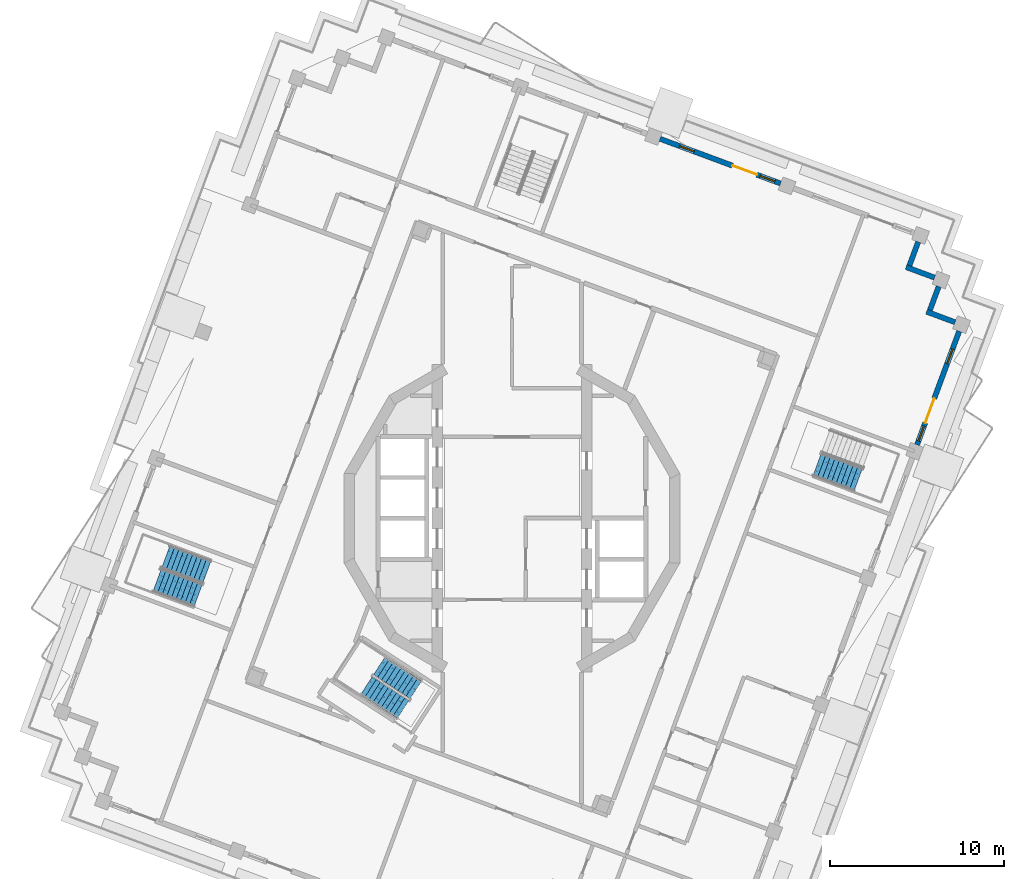
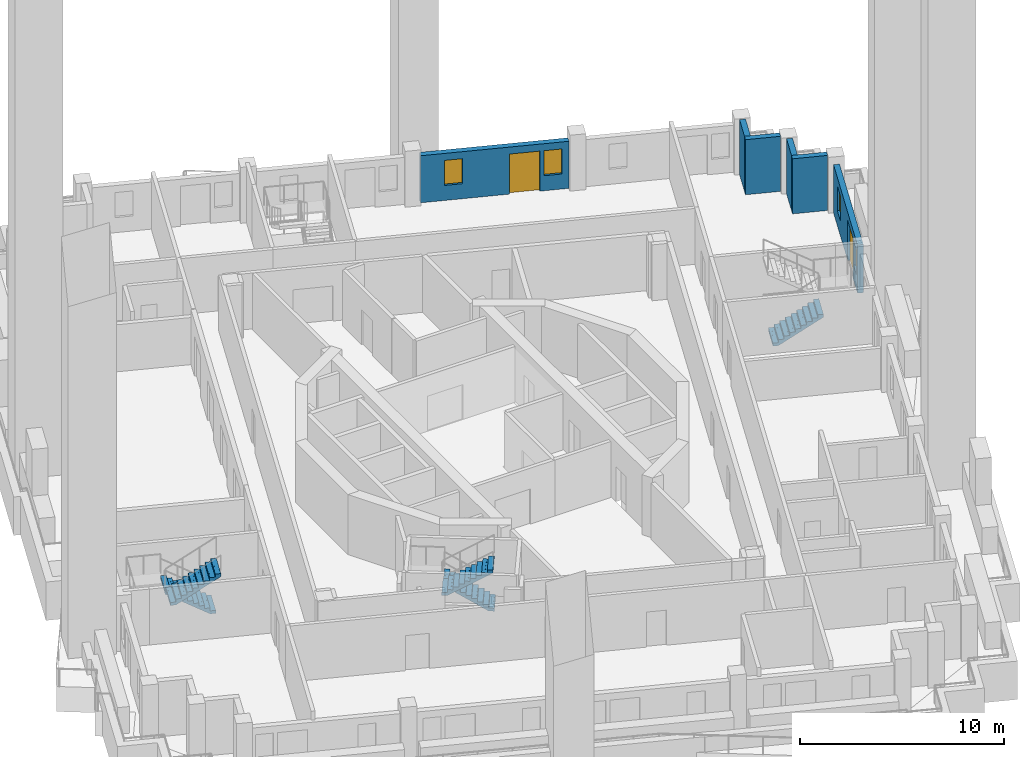
# One storey, part 8 of 20: 6 walls, 5 stair flights, 4 windows, 2 doors, 6 openings, 3 elements without a shape of their own.
"""IFC4 building model written with IfcOpenShell, lengths in metres."""

import ifcopenshell
import ifcopenshell.guid

model = None  # the IFC model being written
_history = None  # IfcOwnerHistory: only IFC2X3 demands one
_inside = {}  # id of a spatial element -> (the spatial element, [elements in it])
_under = {}  # id of a project, library or spatial element -> (it, [spatial elements below it])
_declared = {}  # id of a project -> (the project, [libraries it declares])
_typed = {}  # id of a type object -> (the type object, [elements of that type])
_made_of = {}  # id of a material, layer set ... -> (it, [elements and type objects made of it])


def new_model(schema):
    """Start an empty IFC model of exactly this schema.

    Asked for "IFC4X3", IfcOpenShell would pick the latest addendum, in which some entities
    have other attributes; the version numbers below select the first issue.
    IFC2X3 requires an IfcOwnerHistory on every rooted entity: one is made here for all.
    """
    global model, _history
    if schema == "IFC4X3":
        model = ifcopenshell.file(schema_version=(4, 3, 0, 0))
    else:
        model = ifcopenshell.file(schema=schema)
    _inside.clear()
    _under.clear()
    _declared.clear()
    _typed.clear()
    _made_of.clear()
    _history = None
    if model.schema == "IFC2X3":
        org = make("IfcOrganization", Name="unknown")
        user = make(
            "IfcPersonAndOrganization",
            ThePerson=make("IfcPerson", FamilyName="unknown"),
            TheOrganization=org,
        )
        app = make(
            "IfcApplication",
            ApplicationDeveloper=org,
            Version="unknown",
            ApplicationFullName="unknown",
            ApplicationIdentifier="unknown",
        )
        _history = make(
            "IfcOwnerHistory",
            OwningUser=user,
            OwningApplication=app,
            ChangeAction="ADDED",
            CreationDate=0,
        )
    return model


def make(cls, **values):
    """One entity of the class cls with the attributes given. An attribute that is None is left unset."""
    return model.create_entity(
        cls, **{name: value for name, value in values.items() if value is not None}
    )


def rooted(cls, **values):
    """An entity with a GlobalId (a new one), such as an element, a storey or a relation."""
    return make(cls, GlobalId=ifcopenshell.guid.new(), OwnerHistory=_history, **values)


def si_unit(unit_type, name, prefix=None):
    """IfcSIUnit, for example si_unit("LENGTHUNIT", "METRE", prefix="MILLI")."""
    return make("IfcSIUnit", UnitType=unit_type, Prefix=prefix, Name=name)


def assignment(units):
    """IfcUnitAssignment: the units of a project."""
    return None if units is None else make("IfcUnitAssignment", Units=units)


def point(xyz):
    """IfcCartesianPoint."""
    return None if xyz is None else make("IfcCartesianPoint", Coordinates=xyz)


def direction(xyz):
    """IfcDirection."""
    return None if xyz is None else make("IfcDirection", DirectionRatios=xyz)


def frame(location, z_axis=None, x_axis=None):
    """IfcAxis2Placement3D, a coordinate frame: its origin and axes. An axis left out is left unset."""
    return make(
        "IfcAxis2Placement3D",
        Location=point(location),
        Axis=direction(z_axis),
        RefDirection=direction(x_axis),
    )


def frame_2d(location, x_axis=None):
    """IfcAxis2Placement2D, a coordinate frame in the plane: its origin and x axis."""
    return make(
        "IfcAxis2Placement2D", Location=point(location), RefDirection=direction(x_axis)
    )


def origin():
    """The frame at (0, 0, 0) with its axes left unset."""
    return frame((0.0, 0.0, 0.0))


def place(relative_to, where):
    """IfcLocalPlacement: puts the frame where relative to a parent placement (None: the world)."""
    return make(
        "IfcLocalPlacement", PlacementRelTo=relative_to, RelativePlacement=where
    )


def context(
    kind, dimensions, precision=None, world=None, true_north=None, identifier=None
):
    """IfcGeometricRepresentationContext, for example the 3D "Model" context."""
    return make(
        "IfcGeometricRepresentationContext",
        ContextIdentifier=identifier,
        ContextType=kind,
        CoordinateSpaceDimension=dimensions,
        Precision=precision,
        WorldCoordinateSystem=world,
        TrueNorth=true_north,
    )


def subcontext(parent, identifier, kind, view, scale=None):
    """IfcGeometricRepresentationSubContext, for example "Body" below "Model"."""
    return make(
        "IfcGeometricRepresentationSubContext",
        ContextIdentifier=identifier,
        ContextType=kind,
        ParentContext=parent,
        TargetScale=scale,
        TargetView=view,
    )


def project(units=None, contexts=None):
    """IfcProject with its units and contexts."""
    return rooted(
        "IfcProject",
        Name="project",
        RepresentationContexts=contexts,
        UnitsInContext=assignment(units),
    )


def spatial(cls, under=None, at=None, **own):
    """A site, building, storey or space (cls), placed at a placement, below another one or the project."""
    s = rooted(cls, ObjectPlacement=at, **own)
    if under is not None:
        _under.setdefault(under.id(), (under, []))[1].append(s)
    return s


def polyline(points):
    """IfcPolyline through the points."""
    return make("IfcPolyline", Points=[point(p) for p in points])


def profile(cls, at=None, kind="AREA", **sizes):
    """A parametric profile (cls). Its sizes go by their IFC names, for example OverallWidth=200.0."""
    return make(cls, ProfileType=kind, Position=at, **sizes)


def rectangle(**sizes):
    """IfcRectangleProfileDef."""
    return profile("IfcRectangleProfileDef", **sizes)


def outline(outer, holes=None, kind="AREA"):
    """IfcArbitraryClosedProfileDef: a profile drawn as a closed curve; with holes, ...WithVoids."""
    if holes is None:
        return make("IfcArbitraryClosedProfileDef", ProfileType=kind, OuterCurve=outer)
    return make(
        "IfcArbitraryProfileDefWithVoids",
        ProfileType=kind,
        OuterCurve=outer,
        InnerCurves=holes,
    )


def extrude(swept, where, along, depth):
    """IfcExtrudedAreaSolid: the profile swept, set in the frame where, extruded along a direction by depth."""
    return make(
        "IfcExtrudedAreaSolid",
        SweptArea=swept,
        Position=where,
        ExtrudedDirection=direction(along),
        Depth=depth,
    )


def shape(context_of_items, identifier, shape_type, items):
    """IfcShapeRepresentation: the items that make up one representation, for example the "Body"."""
    return make(
        "IfcShapeRepresentation",
        ContextOfItems=context_of_items,
        RepresentationIdentifier=identifier,
        RepresentationType=shape_type,
        Items=items,
    )


def material(Name=None, Category=None):
    """IfcMaterial."""
    return make("IfcMaterial", Name=Name, Category=Category)


def layer(
    of_material, thickness, ventilated=None, Name=None, Category=None, Priority=None
):
    """IfcMaterialLayer: one layer of a wall or slab, of a material (None: an air gap)."""
    return make(
        "IfcMaterialLayer",
        Material=of_material,
        LayerThickness=thickness,
        IsVentilated=ventilated,
        Name=Name,
        Category=Category,
        Priority=Priority,
    )


def layer_set(layers, Name=None):
    """IfcMaterialLayerSet."""
    return make("IfcMaterialLayerSet", MaterialLayers=layers, LayerSetName=Name)


def made_of(thing, what):
    """Note that an element or type object is made of a material, layer set ...; save() writes the relation."""
    if what is not None:
        _made_of.setdefault(what.id(), (what, []))[1].append(thing)
    return thing


def type_object(cls, material=None, **own):
    """A type object (cls), such as IfcWallType, which elements share."""
    return made_of(rooted(cls, **own), material)


def element(
    cls,
    number,
    at=None,
    inside=None,
    cuts=None,
    type_object=None,
    material=None,
    context=None,
    identifier="Body",
    shape_type=None,
    held_by="IfcProductDefinitionShape",
    body=None,
    shapes=None,
    **own,
):
    """One element of the class cls, such as IfcWall. Its Tag is "e" and its number.

    at: its placement. inside: the storey or other place that contains it. cuts: it is an
    opening in that element (IfcRelVoidsElement). A single representation is given by context,
    identifier, shape_type and body (its items); several are given by shapes. held_by: the class
    of the entity that holds the representations. save() writes the other relations.
    """
    e = rooted(cls, Tag="e%d" % number, ObjectPlacement=at, **own)
    if body is not None:
        shapes = [shape(context, identifier, shape_type, body)]
    if shapes is not None:
        e.Representation = make(held_by, Representations=shapes)
    if inside is not None:
        _inside.setdefault(inside.id(), (inside, []))[1].append(e)
    if cuts is not None:
        rooted(
            "IfcRelVoidsElement", RelatingBuildingElement=cuts, RelatedOpeningElement=e
        )
    if type_object is not None:
        _typed.setdefault(type_object.id(), (type_object, []))[1].append(e)
    return made_of(e, material)


def fill(opening, filler):
    """IfcRelFillsElement: the door or window that sits in an opening."""
    return rooted(
        "IfcRelFillsElement",
        RelatingOpeningElement=opening,
        RelatedBuildingElement=filler,
    )


def aggregate(whole, parts):
    """IfcRelAggregates: a whole, such as a stair, and the parts it consists of."""
    return rooted("IfcRelAggregates", RelatingObject=whole, RelatedObjects=parts)


def save(model, path):
    """Write the relations noted so far, then the file.

    IfcRelAggregates (storeys below a building ...), IfcRelContainedInSpatialStructure (elements
    in a storey), IfcRelDefinesByType, IfcRelAssociatesMaterial and IfcRelDeclares: one each for
    every whole, place, type object, material and project.
    """
    for whole, parts in _under.values():
        aggregate(whole, parts)
    for where, things in _inside.values():
        rooted(
            "IfcRelContainedInSpatialStructure",
            RelatedElements=things,
            RelatingStructure=where,
        )
    for kind, things in _typed.values():
        rooted("IfcRelDefinesByType", RelatedObjects=things, RelatingType=kind)
    for what, things in _made_of.values():
        rooted("IfcRelAssociatesMaterial", RelatedObjects=things, RelatingMaterial=what)
    for by, libraries in _declared.values():
        rooted("IfcRelDeclares", RelatingContext=by, RelatedDefinitions=libraries)
    model.write(path)


model = new_model("IFC4")

# Units and contexts
model_context = context("Model", 3, precision=1e-05, world=origin(), true_north=direction((0.0, 1.0)))
body_context = subcontext(model_context, "Body", "Model", "MODEL_VIEW")
ifc_project = project(units=[si_unit("LENGTHUNIT", "METRE"), si_unit("AREAUNIT", "SQUARE_METRE"), si_unit("VOLUMEUNIT", "CUBIC_METRE"), si_unit("PLANEANGLEUNIT", "RADIAN"), si_unit("MASSUNIT", "GRAM", prefix="KILO")], contexts=[model_context])

# Site, building, storey
site_placement = place(None, origin())
site = spatial("IfcSite", under=ifc_project, at=site_placement, CompositionType="ELEMENT")
building_placement = place(site_placement, origin())
building = spatial("IfcBuilding", under=site, at=building_placement, Name="Cantera Rosa Tower", CompositionType="ELEMENT")
storey_placement = place(building_placement, frame((0.0, 0.0, 306.10009765625)))
storey = spatial("IfcBuildingStorey", under=building, at=storey_placement, Name="L67", CompositionType="ELEMENT", Elevation=306.10009765625)

# Walls
ifc_material_1 = material(Name="Hollow clay masonry with cantera stone cladding", Category="masonry")
ifc_layer_1 = layer(ifc_material_1, 0.300048828125)
ifc_layer_set_1 = layer_set([ifc_layer_1], Name="EW-LOGGIA 300")
wall_type_1 = type_object("IfcWallType", Name="EW-LOGGIA 300", PredefinedType="SOLIDWALL", material=ifc_layer_set_1)
wall_1_placement = place(storey_placement, frame((25.51220703125, 11.288330078125, 0.0), z_axis=(0.0, 0.0, 1.0), x_axis=(-0.937669639538, 0.34752790836, 0.0)))
element("IfcWall", 1, at=wall_1_placement, inside=storey, type_object=wall_type_1, Name="EN-L67-W25a", PredefinedType="SOLIDWALL", context=body_context, shape_type="SweptSolid", body=[
    extrude(rectangle(XDim=1.75, YDim=0.300048828125, at=frame_2d((0.875, 0.0))), origin(), (0.0, 0.0, 1.0), 3.2998046875),
])
wall_2_placement = place(storey_placement, frame((24.06396484375, 11.985107421875, 0.0), z_axis=(0.0, 0.0, 1.0), x_axis=(0.347522732201, 0.937671557958, 0.0)))
element("IfcWall", 2, at=wall_2_placement, inside=storey, type_object=wall_type_1, Name="EN-L67-W25b", PredefinedType="SOLIDWALL", context=body_context, shape_type="SweptSolid", body=[
    extrude(rectangle(XDim=1.449951171875, YDim=0.300048828125, at=frame_2d((0.72509765625, 0.0))), origin(), (0.0, 0.0, 1.0), 3.2998046875),
])
wall_3_placement = place(storey_placement, frame((24.331787109375, 13.858642578125, 0.0), z_axis=(0.0, 0.0, 1.0), x_axis=(-0.937669639538, 0.34752790836, 0.0)))
element("IfcWall", 3, at=wall_3_placement, inside=storey, type_object=wall_type_1, Name="EN-L67-W26a", PredefinedType="SOLIDWALL", context=body_context, shape_type="SweptSolid", body=[
    extrude(rectangle(XDim=1.75, YDim=0.300048828125, at=frame_2d((0.875, 0.0))), origin(), (0.0, 0.0, 1.0), 3.2998046875),
])
wall_4_placement = place(storey_placement, frame((22.883544921875, 14.555419921875, 0.0), z_axis=(0.0, 0.0, 1.0), x_axis=(0.347522732201, 0.937671557958, 0.0)))
element("IfcWall", 4, at=wall_4_placement, inside=storey, type_object=wall_type_1, Name="EN-L67-W26b", PredefinedType="SOLIDWALL", context=body_context, shape_type="SweptSolid", body=[
    extrude(rectangle(XDim=1.449951171875, YDim=0.300048828125, at=frame_2d((0.72509765625, 0.0))), origin(), (0.0, 0.0, 1.0), 3.2998046875),
])

# Wall, openings, windows, door
ifc_material_2 = material(Name="Hollow clay masonry with cantera stone cladding", Category="masonry")
ifc_layer_2 = layer(ifc_material_2, 0.300048828125)
ifc_layer_set_2 = layer_set([ifc_layer_2], Name="EW-LOGGIA 300 H2820")
wall_type_2 = type_object("IfcWallType", Name="EW-LOGGIA 300 H2820", PredefinedType="SOLIDWALL", material=ifc_layer_set_2)
wall_5_placement = place(storey_placement, frame((15.46240234375, 19.2783203125, 0.0), z_axis=(0.0, 0.0, 1.0), x_axis=(-0.937680690562, 0.34749808999, 0.0)))
wall_5 = element("IfcWall", 5, at=wall_5_placement, inside=storey, type_object=wall_type_2, Name="EN-L67-W02", PredefinedType="SOLIDWALL", context=body_context, shape_type="SweptSolid", body=[
    extrude(rectangle(XDim=7.400146484375, YDim=0.300048828125, at=frame_2d((3.7001953125, 0.0))), origin(), (0.0, 0.0, 1.0), 2.81982421875),
])
opening_1_placement = place(wall_5_placement, frame((0.35009765625, 0.0, 0.89990234375)))
opening_1 = element("IfcOpeningElement", 6, at=opening_1_placement, cuts=wall_5, Name="Opening L67-W04", PredefinedType="OPENING", context=body_context, shape_type="SweptSolid", body=[
    extrude(rectangle(XDim=0.89990234375, YDim=1.5, at=frame_2d((0.449951171875, 0.75))), frame((0.0, 0.159912109375, 0.0), z_axis=(0.0, -1.0, 0.0), x_axis=(1.0, 0.0, 0.0)), (0.0, 0.0, 1.0), 0.320068359375),
])
opening_2_placement = place(wall_5_placement, frame((1.449951171875, 0.0, 0.0)))
opening_2 = element("IfcOpeningElement", 7, at=opening_2_placement, cuts=wall_5, Name="Opening L67-TD05", PredefinedType="OPENING", context=body_context, shape_type="SweptSolid", body=[
    extrude(rectangle(XDim=1.5, YDim=2.39990234375, at=frame_2d((0.75, 1.199951171875))), frame((0.0, 0.159912109375, 0.0), z_axis=(0.0, -1.0, 0.0), x_axis=(1.0, 0.0, 0.0)), (0.0, 0.0, 1.0), 0.320068359375),
])
opening_3_placement = place(wall_5_placement, frame((5.300048828125, 0.0, 0.89990234375)))
opening_3 = element("IfcOpeningElement", 8, at=opening_3_placement, cuts=wall_5, Name="Opening L67-W06", PredefinedType="OPENING", context=body_context, shape_type="SweptSolid", body=[
    extrude(rectangle(XDim=0.89990234375, YDim=1.5, at=frame_2d((0.449951171875, 0.75))), frame((0.0, 0.159912109375, 0.0), z_axis=(0.0, -1.0, 0.0), x_axis=(1.0, 0.0, 0.0)), (0.0, 0.0, 1.0), 0.320068359375),
])
ifc_material_3 = material(Name="Aluminium frame with clear glass", Category="aluminium")
window_type = type_object("IfcWindowType", Name="Residential window 900x1500", PartitioningType="SINGLE_PANEL", PredefinedType="WINDOW", material=ifc_material_3)
window_1_placement = place(opening_1_placement, origin())
window_1 = element("IfcWindow", 9, at=window_1_placement, inside=storey, type_object=window_type, Name="WINDOW L67-W04", OverallHeight=1.5, OverallWidth=0.89990234375, PartitioningType="SINGLE_PANEL", PredefinedType="WINDOW", context=body_context, shape_type="SweptSolid", body=[
    extrude(rectangle(XDim=0.89990234375, YDim=1.5, at=frame_2d((0.449951171875, 0.75))), frame((0.0, 0.030029296875, 0.0), z_axis=(0.0, -1.0, 0.0), x_axis=(1.0, 0.0, 0.0)), (0.0, 0.0, 1.0), 0.06005859375),
])
fill(opening_1, window_1)
window_2_placement = place(opening_3_placement, origin())
window_2 = element("IfcWindow", 10, at=window_2_placement, inside=storey, type_object=window_type, Name="WINDOW L67-W06", OverallHeight=1.5, OverallWidth=0.89990234375, PartitioningType="SINGLE_PANEL", PredefinedType="WINDOW", context=body_context, shape_type="SweptSolid", body=[
    extrude(rectangle(XDim=0.89990234375, YDim=1.5, at=frame_2d((0.449951171875, 0.75))), frame((0.0, 0.030029296875, 0.0), z_axis=(0.0, -1.0, 0.0), x_axis=(1.0, 0.0, 0.0)), (0.0, 0.0, 1.0), 0.06005859375),
])
fill(opening_3, window_2)
ifc_material_4 = material(Name="Aluminium frame with clear glass", Category="aluminium")
door_type = type_object("IfcDoorType", Name="TD-R 1500x2400", OperationType="NOTDEFINED", PredefinedType="DOOR", material=ifc_material_4)
door_1_placement = place(opening_2_placement, origin())
door_1 = element("IfcDoor", 11, at=door_1_placement, inside=storey, type_object=door_type, Name="LOGGIA DOOR L67-TD05", OperationType="SLIDING_TO_LEFT", OverallHeight=2.39990234375, OverallWidth=1.5, PredefinedType="DOOR", context=body_context, shape_type="SweptSolid", body=[
    extrude(rectangle(XDim=1.5, YDim=2.39990234375, at=frame_2d((0.75, 1.199951171875))), frame((0.0, 0.02490234375, 0.0), z_axis=(0.0, -1.0, 0.0), x_axis=(1.0, 0.0, 0.0)), (0.0, 0.0, 1.0), 0.050048828125),
])
fill(opening_2, door_1)

ifc_material_5 = material(Name="Hollow clay masonry with cantera stone cladding", Category="masonry")
ifc_layer_3 = layer(ifc_material_5, 0.300048828125)
ifc_layer_set_3 = layer_set([ifc_layer_3], Name="EW-LOGGIA 300 H2890")
wall_type_3 = type_object("IfcWallType", Name="EW-LOGGIA 300 H2890", PredefinedType="SOLIDWALL", material=ifc_layer_set_3)
wall_6_placement = place(storey_placement, frame((23.322998046875, 4.229248046875, 0.0), z_axis=(0.0, 0.0, 1.0), x_axis=(0.347460165909, 0.937694744097, 0.0)))
wall_6 = element("IfcWall", 12, at=wall_6_placement, inside=storey, type_object=wall_type_3, Name="EN-L67-W24", PredefinedType="SOLIDWALL", context=body_context, shape_type="SweptSolid", body=[
    extrude(rectangle(XDim=6.97998046875, YDim=0.300048828125, at=frame_2d((3.489990234375, 0.0))), origin(), (0.0, 0.0, 1.0), 2.889892578125),
])
opening_4_placement = place(wall_6_placement, frame((0.2451171875, 0.0, 0.89990234375)))
opening_4 = element("IfcOpeningElement", 13, at=opening_4_placement, cuts=wall_6, Name="Opening L67-W46", PredefinedType="OPENING", context=body_context, shape_type="SweptSolid", body=[
    extrude(rectangle(XDim=0.89990234375, YDim=1.5, at=frame_2d((0.449951171875, 0.75))), frame((0.0, 0.159912109375, 0.0), z_axis=(0.0, -1.0, 0.0), x_axis=(1.0, 0.0, 0.0)), (0.0, 0.0, 1.0), 0.320068359375),
])
opening_5_placement = place(wall_6_placement, frame((1.344970703125, 0.0, 0.0)))
opening_5 = element("IfcOpeningElement", 14, at=opening_5_placement, cuts=wall_6, Name="Opening L67-TD47", PredefinedType="OPENING", context=body_context, shape_type="SweptSolid", body=[
    extrude(rectangle(XDim=1.5, YDim=2.39990234375, at=frame_2d((0.75, 1.199951171875))), frame((0.0, 0.159912109375, 0.0), z_axis=(0.0, -1.0, 0.0), x_axis=(1.0, 0.0, 0.0)), (0.0, 0.0, 1.0), 0.320068359375),
])
opening_6_placement = place(wall_6_placement, frame((4.985107421875, 0.0, 0.89990234375)))
opening_6 = element("IfcOpeningElement", 15, at=opening_6_placement, cuts=wall_6, Name="Opening L67-W48", PredefinedType="OPENING", context=body_context, shape_type="SweptSolid", body=[
    extrude(rectangle(XDim=0.89990234375, YDim=1.5, at=frame_2d((0.449951171875, 0.75))), frame((0.0, 0.159912109375, 0.0), z_axis=(0.0, -1.0, 0.0), x_axis=(1.0, 0.0, 0.0)), (0.0, 0.0, 1.0), 0.320068359375),
])
window_3_placement = place(opening_4_placement, origin())
window_3 = element("IfcWindow", 16, at=window_3_placement, inside=storey, type_object=window_type, Name="WINDOW L67-W46", OverallHeight=1.5, OverallWidth=0.89990234375, PartitioningType="SINGLE_PANEL", PredefinedType="WINDOW", context=body_context, shape_type="SweptSolid", body=[
    extrude(rectangle(XDim=0.89990234375, YDim=1.5, at=frame_2d((0.449951171875, 0.75))), frame((0.0, 0.030029296875, 0.0), z_axis=(0.0, -1.0, 0.0), x_axis=(1.0, 0.0, 0.0)), (0.0, 0.0, 1.0), 0.06005859375),
])
fill(opening_4, window_3)
window_4_placement = place(opening_6_placement, origin())
window_4 = element("IfcWindow", 17, at=window_4_placement, inside=storey, type_object=window_type, Name="WINDOW L67-W48", OverallHeight=1.5, OverallWidth=0.89990234375, PartitioningType="SINGLE_PANEL", PredefinedType="WINDOW", context=body_context, shape_type="SweptSolid", body=[
    extrude(rectangle(XDim=0.89990234375, YDim=1.5, at=frame_2d((0.449951171875, 0.75))), frame((0.0, 0.030029296875, 0.0), z_axis=(0.0, -1.0, 0.0), x_axis=(1.0, 0.0, 0.0)), (0.0, 0.0, 1.0), 0.06005859375),
])
fill(opening_6, window_4)
door_2_placement = place(opening_5_placement, origin())
door_2 = element("IfcDoor", 18, at=door_2_placement, inside=storey, type_object=door_type, Name="LOGGIA DOOR L67-TD47", OperationType="SLIDING_TO_LEFT", OverallHeight=2.39990234375, OverallWidth=1.5, PredefinedType="DOOR", context=body_context, shape_type="SweptSolid", body=[
    extrude(rectangle(XDim=1.5, YDim=2.39990234375, at=frame_2d((0.75, 1.199951171875))), frame((0.0, 0.02490234375, 0.0), z_axis=(0.0, -1.0, 0.0), x_axis=(1.0, 0.0, 0.0)), (0.0, 0.0, 1.0), 0.050048828125),
])
fill(opening_5, door_2)

# Stair, stair flights
ifc_material_6 = material(Name="Concrete C35/45", Category="concrete")
stair_type_1 = type_object("IfcStairType", Name="EXIT STAIR 1200 DOGLEG", PredefinedType="HALF_TURN_STAIR", material=ifc_material_6)
stair_1_placement = place(storey_placement, origin())
stair_1 = element("IfcStair", 19, at=stair_1_placement, inside=storey, type_object=stair_type_1, Name="L67 ST-64", PredefinedType="HALF_TURN_STAIR")
ifc_material_7 = material(Name="Concrete C35/45", Category="concrete")
stair_flight_type_1 = type_object("IfcStairFlightType", Name="STAIR FLIGHT 1200 R20x180", PredefinedType="STRAIGHT", material=ifc_material_7)
stair_flight_1_placement = place(storey_placement, frame((-5.532470703125, -9.878173828125, 0.0), z_axis=(0.0, 0.0, 1.0), x_axis=(-0.838670567945, 0.544639035015, 0.0)))
stair_flight_1 = element("IfcStairFlight", 20, at=stair_flight_1_placement, type_object=stair_flight_type_1, Name="ST-64 flight 1", NumberOfRisers=10, NumberOfTreads=9, PredefinedType="STRAIGHT", RiserHeight=0.18, TreadLength=0.28, context=body_context, shape_type="SweptSolid", body=[
    extrude(outline(polyline([(0.0, 0.0), (0.0, 0.179931640625), (0.280029296875, 0.179931640625), (0.280029296875, 0.360107421875), (0.56005859375, 0.360107421875), (0.56005859375, 0.5400390625), (0.840087890625, 0.5400390625), (0.840087890625, 0.719970703125), (1.1201171875, 0.719970703125), (1.1201171875, 0.89990234375), (1.39990234375, 0.89990234375), (1.39990234375, 1.080078125), (1.679931640625, 1.080078125), (1.679931640625, 1.260009765625), (1.9599609375, 1.260009765625), (1.9599609375, 1.43994140625), (2.239990234375, 1.43994140625), (2.239990234375, 1.6201171875), (2.52001953125, 1.6201171875), (2.52001953125, 1.800048828125), (2.52001953125, 1.44189453125), (0.277099609375, 0.0), (0.0, 0.0)])), frame((0.0, 0.60009765625, 0.0), z_axis=(0.0, -1.0, 0.0), x_axis=(1.0, 0.0, 0.0)), (0.0, 0.0, 1.0), 0.298583984375),
    extrude(outline(polyline([(0.0, 0.0), (0.0, 0.179931640625), (0.280029296875, 0.179931640625), (0.280029296875, 0.360107421875), (0.56005859375, 0.360107421875), (0.56005859375, 0.5400390625), (0.840087890625, 0.5400390625), (0.840087890625, 0.719970703125), (1.1201171875, 0.719970703125), (1.1201171875, 0.89990234375), (1.39990234375, 0.89990234375), (1.39990234375, 1.080078125), (1.679931640625, 1.080078125), (1.679931640625, 1.260009765625), (1.9599609375, 1.260009765625), (1.9599609375, 1.43994140625), (2.239990234375, 1.43994140625), (2.239990234375, 1.6201171875), (2.52001953125, 1.6201171875), (2.52001953125, 1.800048828125), (2.52001953125, 1.44189453125), (0.277099609375, 0.0), (0.0, 0.0)])), frame((0.0, 0.29931640625, 0.0), z_axis=(0.0, -1.0, 0.0), x_axis=(1.0, 0.0, 0.0)), (0.0, 0.0, 1.0), 0.298583984375),
    extrude(outline(polyline([(0.0, 0.0), (0.0, 0.179931640625), (0.280029296875, 0.179931640625), (0.280029296875, 0.360107421875), (0.56005859375, 0.360107421875), (0.56005859375, 0.5400390625), (0.840087890625, 0.5400390625), (0.840087890625, 0.719970703125), (1.1201171875, 0.719970703125), (1.1201171875, 0.89990234375), (1.39990234375, 0.89990234375), (1.39990234375, 1.080078125), (1.679931640625, 1.080078125), (1.679931640625, 1.260009765625), (1.9599609375, 1.260009765625), (1.9599609375, 1.43994140625), (2.239990234375, 1.43994140625), (2.239990234375, 1.6201171875), (2.52001953125, 1.6201171875), (2.52001953125, 1.800048828125), (2.52001953125, 1.44189453125), (0.277099609375, 0.0), (0.0, 0.0)])), frame((0.0, -0.0009765625, 0.0), z_axis=(0.0, -1.0, 0.0), x_axis=(1.0, 0.0, 0.0)), (0.0, 0.0, 1.0), 0.298583984375),
    extrude(outline(polyline([(0.0, 0.0), (0.0, 0.179931640625), (0.280029296875, 0.179931640625), (0.280029296875, 0.360107421875), (0.56005859375, 0.360107421875), (0.56005859375, 0.5400390625), (0.840087890625, 0.5400390625), (0.840087890625, 0.719970703125), (1.1201171875, 0.719970703125), (1.1201171875, 0.89990234375), (1.39990234375, 0.89990234375), (1.39990234375, 1.080078125), (1.679931640625, 1.080078125), (1.679931640625, 1.260009765625), (1.9599609375, 1.260009765625), (1.9599609375, 1.43994140625), (2.239990234375, 1.43994140625), (2.239990234375, 1.6201171875), (2.52001953125, 1.6201171875), (2.52001953125, 1.800048828125), (2.52001953125, 1.44189453125), (0.277099609375, 0.0), (0.0, 0.0)])), frame((0.0, -0.3017578125, 0.0), z_axis=(0.0, -1.0, 0.0), x_axis=(1.0, 0.0, 0.0)), (0.0, 0.0, 1.0), 0.298583984375),
])
stair_flight_2_placement = place(storey_placement, frame((-8.381103515625, -9.6376953125, 1.7998046875), z_axis=(0.0, 0.0, 1.0), x_axis=(0.838670567945, -0.544639035015, 0.0)))
stair_flight_2 = element("IfcStairFlight", 21, at=stair_flight_2_placement, type_object=stair_flight_type_1, Name="ST-64 flight 2", NumberOfRisers=10, NumberOfTreads=9, PredefinedType="STRAIGHT", RiserHeight=0.18, TreadLength=0.28, context=body_context, shape_type="SweptSolid", body=[
    extrude(outline(polyline([(0.0, 0.0), (0.0, 0.179931640625), (0.280029296875, 0.179931640625), (0.280029296875, 0.360107421875), (0.56005859375, 0.360107421875), (0.56005859375, 0.5400390625), (0.840087890625, 0.5400390625), (0.840087890625, 0.719970703125), (1.1201171875, 0.719970703125), (1.1201171875, 0.89990234375), (1.39990234375, 0.89990234375), (1.39990234375, 1.080078125), (1.679931640625, 1.080078125), (1.679931640625, 1.260009765625), (1.9599609375, 1.260009765625), (1.9599609375, 1.43994140625), (2.239990234375, 1.43994140625), (2.239990234375, 1.6201171875), (2.52001953125, 1.6201171875), (2.52001953125, 1.800048828125), (2.52001953125, 1.44189453125), (0.277099609375, 0.0), (0.0, 0.0)])), frame((0.0, 0.60009765625, 0.0), z_axis=(0.0, -1.0, 0.0), x_axis=(1.0, 0.0, 0.0)), (0.0, 0.0, 1.0), 0.298583984375),
    extrude(outline(polyline([(0.0, 0.0), (0.0, 0.179931640625), (0.280029296875, 0.179931640625), (0.280029296875, 0.360107421875), (0.56005859375, 0.360107421875), (0.56005859375, 0.5400390625), (0.840087890625, 0.5400390625), (0.840087890625, 0.719970703125), (1.1201171875, 0.719970703125), (1.1201171875, 0.89990234375), (1.39990234375, 0.89990234375), (1.39990234375, 1.080078125), (1.679931640625, 1.080078125), (1.679931640625, 1.260009765625), (1.9599609375, 1.260009765625), (1.9599609375, 1.43994140625), (2.239990234375, 1.43994140625), (2.239990234375, 1.6201171875), (2.52001953125, 1.6201171875), (2.52001953125, 1.800048828125), (2.52001953125, 1.44189453125), (0.277099609375, 0.0), (0.0, 0.0)])), frame((0.0, 0.29931640625, 0.0), z_axis=(0.0, -1.0, 0.0), x_axis=(1.0, 0.0, 0.0)), (0.0, 0.0, 1.0), 0.298583984375),
    extrude(outline(polyline([(0.0, 0.0), (0.0, 0.179931640625), (0.280029296875, 0.179931640625), (0.280029296875, 0.360107421875), (0.56005859375, 0.360107421875), (0.56005859375, 0.5400390625), (0.840087890625, 0.5400390625), (0.840087890625, 0.719970703125), (1.1201171875, 0.719970703125), (1.1201171875, 0.89990234375), (1.39990234375, 0.89990234375), (1.39990234375, 1.080078125), (1.679931640625, 1.080078125), (1.679931640625, 1.260009765625), (1.9599609375, 1.260009765625), (1.9599609375, 1.43994140625), (2.239990234375, 1.43994140625), (2.239990234375, 1.6201171875), (2.52001953125, 1.6201171875), (2.52001953125, 1.800048828125), (2.52001953125, 1.44189453125), (0.277099609375, 0.0), (0.0, 0.0)])), frame((0.0, -0.0009765625, 0.0), z_axis=(0.0, -1.0, 0.0), x_axis=(1.0, 0.0, 0.0)), (0.0, 0.0, 1.0), 0.298583984375),
    extrude(outline(polyline([(0.0, 0.0), (0.0, 0.179931640625), (0.280029296875, 0.179931640625), (0.280029296875, 0.360107421875), (0.56005859375, 0.360107421875), (0.56005859375, 0.5400390625), (0.840087890625, 0.5400390625), (0.840087890625, 0.719970703125), (1.1201171875, 0.719970703125), (1.1201171875, 0.89990234375), (1.39990234375, 0.89990234375), (1.39990234375, 1.080078125), (1.679931640625, 1.080078125), (1.679931640625, 1.260009765625), (1.9599609375, 1.260009765625), (1.9599609375, 1.43994140625), (2.239990234375, 1.43994140625), (2.239990234375, 1.6201171875), (2.52001953125, 1.6201171875), (2.52001953125, 1.800048828125), (2.52001953125, 1.44189453125), (0.277099609375, 0.0), (0.0, 0.0)])), frame((0.0, -0.3017578125, 0.0), z_axis=(0.0, -1.0, 0.0), x_axis=(1.0, 0.0, 0.0)), (0.0, 0.0, 1.0), 0.298583984375),
])
aggregate(stair_1, [stair_flight_1, stair_flight_2])

# Stair, stair flight
ifc_material_8 = material(Name="Concrete C35/45", Category="concrete")
stair_type_2 = type_object("IfcStairType", Name="EXIT STAIR 1350 DOGLEG", PredefinedType="HALF_TURN_STAIR", material=ifc_material_8)
stair_2_placement = place(storey_placement, origin())
stair_2 = element("IfcStair", 22, at=stair_2_placement, inside=storey, type_object=stair_type_2, Name="L67 ST-61", PredefinedType="HALF_TURN_STAIR")
ifc_material_9 = material(Name="Concrete C35/45", Category="concrete")
stair_flight_type_2 = type_object("IfcStairFlightType", Name="STAIR FLIGHT 1350 R20x180", PredefinedType="STRAIGHT", material=ifc_material_9)
stair_flight_3_placement = place(storey_placement, frame((17.55908203125, 3.064453125, 0.0), z_axis=(0.0, 0.0, 1.0), x_axis=(0.937686938944, -0.347481229039, 0.0)))
stair_flight_3 = element("IfcStairFlight", 23, at=stair_flight_3_placement, type_object=stair_flight_type_2, Name="ST-61 flight 1", NumberOfRisers=10, NumberOfTreads=9, PredefinedType="STRAIGHT", RiserHeight=0.18, TreadLength=0.28, context=body_context, shape_type="SweptSolid", body=[
    extrude(outline(polyline([(0.0, 0.0), (0.0, 0.179931640625), (0.280029296875, 0.179931640625), (0.280029296875, 0.360107421875), (0.56005859375, 0.360107421875), (0.56005859375, 0.5400390625), (0.840087890625, 0.5400390625), (0.840087890625, 0.719970703125), (1.1201171875, 0.719970703125), (1.1201171875, 0.89990234375), (1.39990234375, 0.89990234375), (1.39990234375, 1.080078125), (1.679931640625, 1.080078125), (1.679931640625, 1.260009765625), (1.9599609375, 1.260009765625), (1.9599609375, 1.43994140625), (2.239990234375, 1.43994140625), (2.239990234375, 1.6201171875), (2.52001953125, 1.6201171875), (2.52001953125, 1.800048828125), (2.52001953125, 1.44189453125), (0.277099609375, 0.0), (0.0, 0.0)])), frame((0.0, 0.675048828125, 0.0), z_axis=(0.0, -1.0, 0.0), x_axis=(1.0, 0.0, 0.0)), (0.0, 0.0, 1.0), 0.3359375),
    extrude(outline(polyline([(0.0, 0.0), (0.0, 0.179931640625), (0.280029296875, 0.179931640625), (0.280029296875, 0.360107421875), (0.56005859375, 0.360107421875), (0.56005859375, 0.5400390625), (0.840087890625, 0.5400390625), (0.840087890625, 0.719970703125), (1.1201171875, 0.719970703125), (1.1201171875, 0.89990234375), (1.39990234375, 0.89990234375), (1.39990234375, 1.080078125), (1.679931640625, 1.080078125), (1.679931640625, 1.260009765625), (1.9599609375, 1.260009765625), (1.9599609375, 1.43994140625), (2.239990234375, 1.43994140625), (2.239990234375, 1.6201171875), (2.52001953125, 1.6201171875), (2.52001953125, 1.800048828125), (2.52001953125, 1.44189453125), (0.277099609375, 0.0), (0.0, 0.0)])), frame((0.0, 0.337158203125, 0.0), z_axis=(0.0, -1.0, 0.0), x_axis=(1.0, 0.0, 0.0)), (0.0, 0.0, 1.0), 0.3359375),
    extrude(outline(polyline([(0.0, 0.0), (0.0, 0.179931640625), (0.280029296875, 0.179931640625), (0.280029296875, 0.360107421875), (0.56005859375, 0.360107421875), (0.56005859375, 0.5400390625), (0.840087890625, 0.5400390625), (0.840087890625, 0.719970703125), (1.1201171875, 0.719970703125), (1.1201171875, 0.89990234375), (1.39990234375, 0.89990234375), (1.39990234375, 1.080078125), (1.679931640625, 1.080078125), (1.679931640625, 1.260009765625), (1.9599609375, 1.260009765625), (1.9599609375, 1.43994140625), (2.239990234375, 1.43994140625), (2.239990234375, 1.6201171875), (2.52001953125, 1.6201171875), (2.52001953125, 1.800048828125), (2.52001953125, 1.44189453125), (0.277099609375, 0.0), (0.0, 0.0)])), frame((0.0, -0.000732421875, 0.0), z_axis=(0.0, -1.0, 0.0), x_axis=(1.0, 0.0, 0.0)), (0.0, 0.0, 1.0), 0.3359375),
    extrude(outline(polyline([(0.0, 0.0), (0.0, 0.179931640625), (0.280029296875, 0.179931640625), (0.280029296875, 0.360107421875), (0.56005859375, 0.360107421875), (0.56005859375, 0.5400390625), (0.840087890625, 0.5400390625), (0.840087890625, 0.719970703125), (1.1201171875, 0.719970703125), (1.1201171875, 0.89990234375), (1.39990234375, 0.89990234375), (1.39990234375, 1.080078125), (1.679931640625, 1.080078125), (1.679931640625, 1.260009765625), (1.9599609375, 1.260009765625), (1.9599609375, 1.43994140625), (2.239990234375, 1.43994140625), (2.239990234375, 1.6201171875), (2.52001953125, 1.6201171875), (2.52001953125, 1.800048828125), (2.52001953125, 1.44189453125), (0.277099609375, 0.0), (0.0, 0.0)])), frame((0.0, -0.338623046875, 0.0), z_axis=(0.0, -1.0, 0.0), x_axis=(1.0, 0.0, 0.0)), (0.0, 0.0, 1.0), 0.3359375),
])
aggregate(stair_2, [stair_flight_3])

# Stair, stair flights
stair_3_placement = place(storey_placement, origin())
stair_3 = element("IfcStair", 24, at=stair_3_placement, inside=storey, type_object=stair_type_2, Name="L67 ST-63", PredefinedType="HALF_TURN_STAIR")
stair_flight_4_placement = place(storey_placement, frame((-17.55908203125, -3.064453125, 0.0), z_axis=(0.0, 0.0, 1.0), x_axis=(-0.937686938944, 0.347481229039, 0.0)))
stair_flight_4 = element("IfcStairFlight", 25, at=stair_flight_4_placement, type_object=stair_flight_type_2, Name="ST-63 flight 1", NumberOfRisers=10, NumberOfTreads=9, PredefinedType="STRAIGHT", RiserHeight=0.18, TreadLength=0.28, context=body_context, shape_type="SweptSolid", body=[
    extrude(outline(polyline([(0.0, 0.0), (0.0, 0.179931640625), (0.280029296875, 0.179931640625), (0.280029296875, 0.360107421875), (0.56005859375, 0.360107421875), (0.56005859375, 0.5400390625), (0.840087890625, 0.5400390625), (0.840087890625, 0.719970703125), (1.1201171875, 0.719970703125), (1.1201171875, 0.89990234375), (1.39990234375, 0.89990234375), (1.39990234375, 1.080078125), (1.679931640625, 1.080078125), (1.679931640625, 1.260009765625), (1.9599609375, 1.260009765625), (1.9599609375, 1.43994140625), (2.239990234375, 1.43994140625), (2.239990234375, 1.6201171875), (2.52001953125, 1.6201171875), (2.52001953125, 1.800048828125), (2.52001953125, 1.44189453125), (0.277099609375, 0.0), (0.0, 0.0)])), frame((0.0, 0.675048828125, 0.0), z_axis=(0.0, -1.0, 0.0), x_axis=(1.0, 0.0, 0.0)), (0.0, 0.0, 1.0), 0.3359375),
    extrude(outline(polyline([(0.0, 0.0), (0.0, 0.179931640625), (0.280029296875, 0.179931640625), (0.280029296875, 0.360107421875), (0.56005859375, 0.360107421875), (0.56005859375, 0.5400390625), (0.840087890625, 0.5400390625), (0.840087890625, 0.719970703125), (1.1201171875, 0.719970703125), (1.1201171875, 0.89990234375), (1.39990234375, 0.89990234375), (1.39990234375, 1.080078125), (1.679931640625, 1.080078125), (1.679931640625, 1.260009765625), (1.9599609375, 1.260009765625), (1.9599609375, 1.43994140625), (2.239990234375, 1.43994140625), (2.239990234375, 1.6201171875), (2.52001953125, 1.6201171875), (2.52001953125, 1.800048828125), (2.52001953125, 1.44189453125), (0.277099609375, 0.0), (0.0, 0.0)])), frame((0.0, 0.337158203125, 0.0), z_axis=(0.0, -1.0, 0.0), x_axis=(1.0, 0.0, 0.0)), (0.0, 0.0, 1.0), 0.3359375),
    extrude(outline(polyline([(0.0, 0.0), (0.0, 0.179931640625), (0.280029296875, 0.179931640625), (0.280029296875, 0.360107421875), (0.56005859375, 0.360107421875), (0.56005859375, 0.5400390625), (0.840087890625, 0.5400390625), (0.840087890625, 0.719970703125), (1.1201171875, 0.719970703125), (1.1201171875, 0.89990234375), (1.39990234375, 0.89990234375), (1.39990234375, 1.080078125), (1.679931640625, 1.080078125), (1.679931640625, 1.260009765625), (1.9599609375, 1.260009765625), (1.9599609375, 1.43994140625), (2.239990234375, 1.43994140625), (2.239990234375, 1.6201171875), (2.52001953125, 1.6201171875), (2.52001953125, 1.800048828125), (2.52001953125, 1.44189453125), (0.277099609375, 0.0), (0.0, 0.0)])), frame((0.0, -0.000732421875, 0.0), z_axis=(0.0, -1.0, 0.0), x_axis=(1.0, 0.0, 0.0)), (0.0, 0.0, 1.0), 0.3359375),
    extrude(outline(polyline([(0.0, 0.0), (0.0, 0.179931640625), (0.280029296875, 0.179931640625), (0.280029296875, 0.360107421875), (0.56005859375, 0.360107421875), (0.56005859375, 0.5400390625), (0.840087890625, 0.5400390625), (0.840087890625, 0.719970703125), (1.1201171875, 0.719970703125), (1.1201171875, 0.89990234375), (1.39990234375, 0.89990234375), (1.39990234375, 1.080078125), (1.679931640625, 1.080078125), (1.679931640625, 1.260009765625), (1.9599609375, 1.260009765625), (1.9599609375, 1.43994140625), (2.239990234375, 1.43994140625), (2.239990234375, 1.6201171875), (2.52001953125, 1.6201171875), (2.52001953125, 1.800048828125), (2.52001953125, 1.44189453125), (0.277099609375, 0.0), (0.0, 0.0)])), frame((0.0, -0.338623046875, 0.0), z_axis=(0.0, -1.0, 0.0), x_axis=(1.0, 0.0, 0.0)), (0.0, 0.0, 1.0), 0.3359375),
])
stair_flight_5_placement = place(storey_placement, frame((-20.443115234375, -3.595458984375, 1.7998046875), z_axis=(0.0, 0.0, 1.0), x_axis=(0.937686938944, -0.347481229039, 0.0)))
stair_flight_5 = element("IfcStairFlight", 26, at=stair_flight_5_placement, type_object=stair_flight_type_2, Name="ST-63 flight 2", NumberOfRisers=10, NumberOfTreads=9, PredefinedType="STRAIGHT", RiserHeight=0.18, TreadLength=0.28, context=body_context, shape_type="SweptSolid", body=[
    extrude(outline(polyline([(0.0, 0.0), (0.0, 0.179931640625), (0.280029296875, 0.179931640625), (0.280029296875, 0.360107421875), (0.56005859375, 0.360107421875), (0.56005859375, 0.5400390625), (0.840087890625, 0.5400390625), (0.840087890625, 0.719970703125), (1.1201171875, 0.719970703125), (1.1201171875, 0.89990234375), (1.39990234375, 0.89990234375), (1.39990234375, 1.080078125), (1.679931640625, 1.080078125), (1.679931640625, 1.260009765625), (1.9599609375, 1.260009765625), (1.9599609375, 1.43994140625), (2.239990234375, 1.43994140625), (2.239990234375, 1.6201171875), (2.52001953125, 1.6201171875), (2.52001953125, 1.800048828125), (2.52001953125, 1.44189453125), (0.277099609375, 0.0), (0.0, 0.0)])), frame((0.0, 0.675048828125, 0.0), z_axis=(0.0, -1.0, 0.0), x_axis=(1.0, 0.0, 0.0)), (0.0, 0.0, 1.0), 0.3359375),
    extrude(outline(polyline([(0.0, 0.0), (0.0, 0.179931640625), (0.280029296875, 0.179931640625), (0.280029296875, 0.360107421875), (0.56005859375, 0.360107421875), (0.56005859375, 0.5400390625), (0.840087890625, 0.5400390625), (0.840087890625, 0.719970703125), (1.1201171875, 0.719970703125), (1.1201171875, 0.89990234375), (1.39990234375, 0.89990234375), (1.39990234375, 1.080078125), (1.679931640625, 1.080078125), (1.679931640625, 1.260009765625), (1.9599609375, 1.260009765625), (1.9599609375, 1.43994140625), (2.239990234375, 1.43994140625), (2.239990234375, 1.6201171875), (2.52001953125, 1.6201171875), (2.52001953125, 1.800048828125), (2.52001953125, 1.44189453125), (0.277099609375, 0.0), (0.0, 0.0)])), frame((0.0, 0.337158203125, 0.0), z_axis=(0.0, -1.0, 0.0), x_axis=(1.0, 0.0, 0.0)), (0.0, 0.0, 1.0), 0.3359375),
    extrude(outline(polyline([(0.0, 0.0), (0.0, 0.179931640625), (0.280029296875, 0.179931640625), (0.280029296875, 0.360107421875), (0.56005859375, 0.360107421875), (0.56005859375, 0.5400390625), (0.840087890625, 0.5400390625), (0.840087890625, 0.719970703125), (1.1201171875, 0.719970703125), (1.1201171875, 0.89990234375), (1.39990234375, 0.89990234375), (1.39990234375, 1.080078125), (1.679931640625, 1.080078125), (1.679931640625, 1.260009765625), (1.9599609375, 1.260009765625), (1.9599609375, 1.43994140625), (2.239990234375, 1.43994140625), (2.239990234375, 1.6201171875), (2.52001953125, 1.6201171875), (2.52001953125, 1.800048828125), (2.52001953125, 1.44189453125), (0.277099609375, 0.0), (0.0, 0.0)])), frame((0.0, -0.000732421875, 0.0), z_axis=(0.0, -1.0, 0.0), x_axis=(1.0, 0.0, 0.0)), (0.0, 0.0, 1.0), 0.3359375),
    extrude(outline(polyline([(0.0, 0.0), (0.0, 0.179931640625), (0.280029296875, 0.179931640625), (0.280029296875, 0.360107421875), (0.56005859375, 0.360107421875), (0.56005859375, 0.5400390625), (0.840087890625, 0.5400390625), (0.840087890625, 0.719970703125), (1.1201171875, 0.719970703125), (1.1201171875, 0.89990234375), (1.39990234375, 0.89990234375), (1.39990234375, 1.080078125), (1.679931640625, 1.080078125), (1.679931640625, 1.260009765625), (1.9599609375, 1.260009765625), (1.9599609375, 1.43994140625), (2.239990234375, 1.43994140625), (2.239990234375, 1.6201171875), (2.52001953125, 1.6201171875), (2.52001953125, 1.800048828125), (2.52001953125, 1.44189453125), (0.277099609375, 0.0), (0.0, 0.0)])), frame((0.0, -0.338623046875, 0.0), z_axis=(0.0, -1.0, 0.0), x_axis=(1.0, 0.0, 0.0)), (0.0, 0.0, 1.0), 0.3359375),
])
aggregate(stair_3, [stair_flight_4, stair_flight_5])

save(model, "model.ifc")
